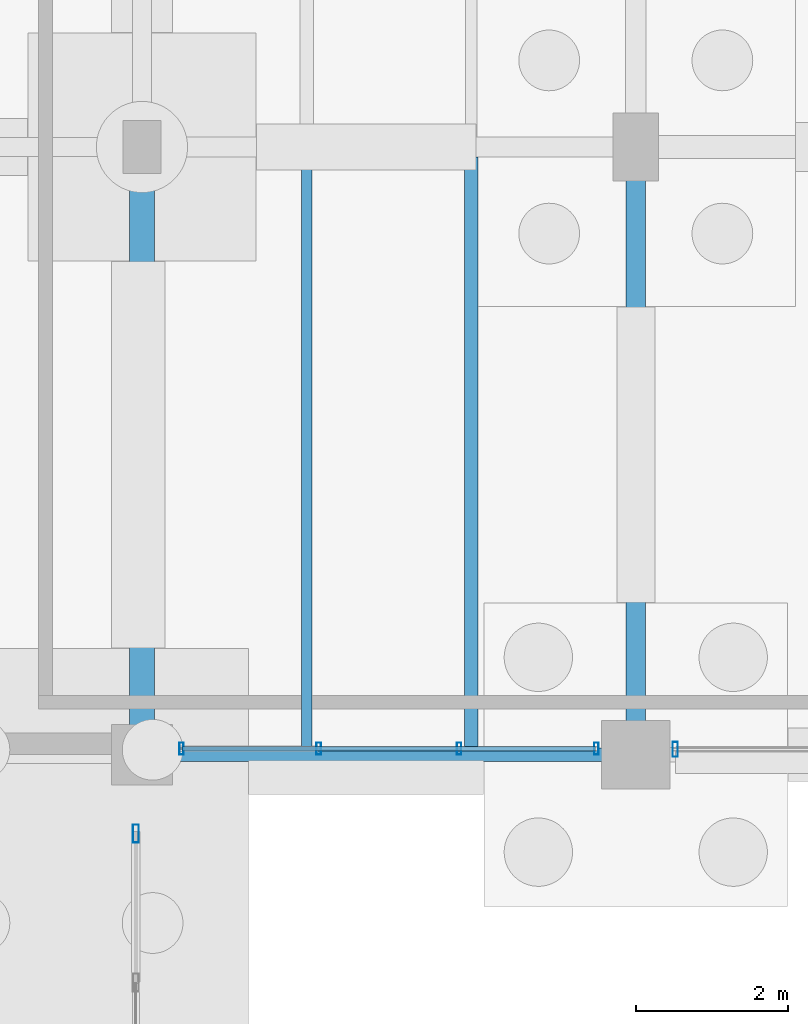
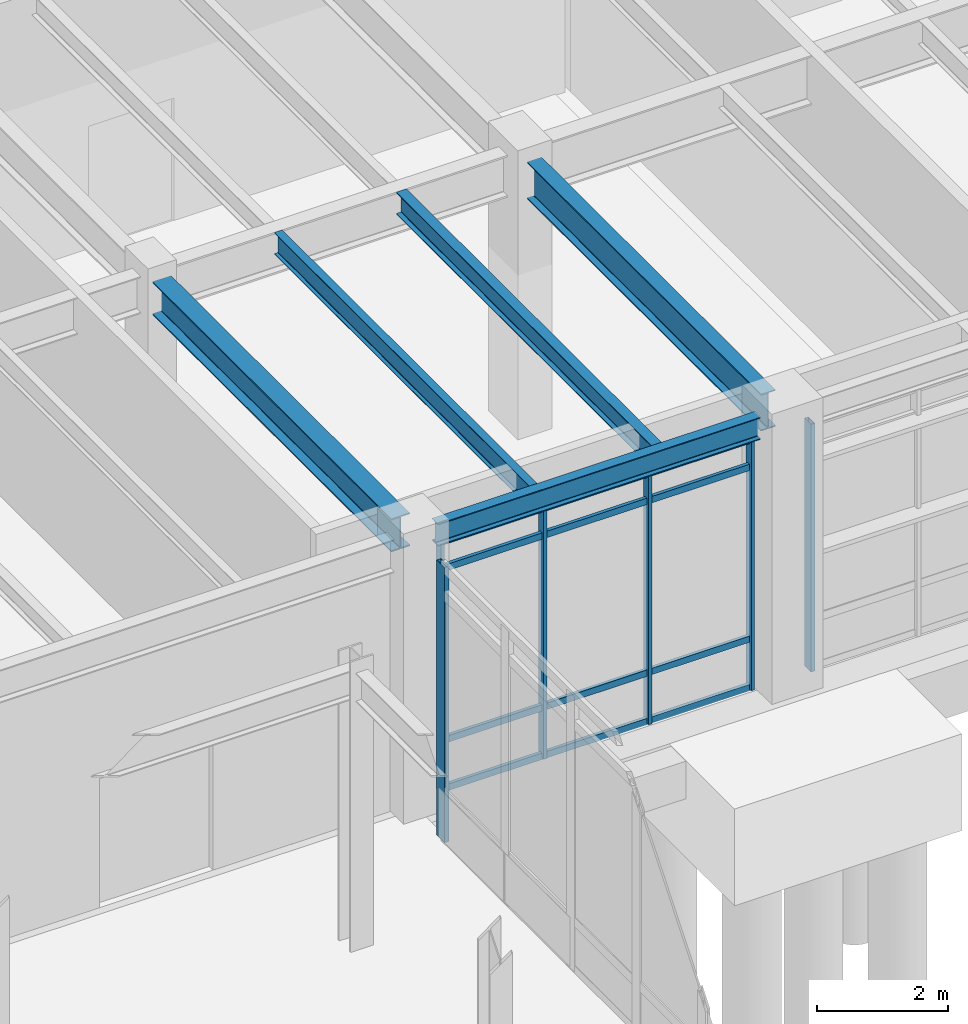
# One storey, part 127 of 203: 10 members, 5 beams, 3 elements without a shape of their own.
"""IFC4 building model written with IfcOpenShell, lengths in metres."""

from ifc_helpers import new_model, si_unit, direction, frame, origin, origin_2d, place, context, subcontext, project, spatial, hollow_rectangle, i_section, extrude, material, material_profile, profile_set, type_object, element, aggregate, save


model = new_model("IFC4")

# Units and contexts
model_context = context("Model", 3, precision=1e-05, world=origin(), true_north=direction((0.0, 1.0)))
body_context = subcontext(model_context, "Body", "Model", "MODEL_VIEW")
ifc_project = project(units=[si_unit("LENGTHUNIT", "METRE"), si_unit("AREAUNIT", "SQUARE_METRE"), si_unit("VOLUMEUNIT", "CUBIC_METRE"), si_unit("PLANEANGLEUNIT", "RADIAN"), si_unit("MASSUNIT", "GRAM", prefix="KILO"), si_unit("THERMODYNAMICTEMPERATUREUNIT", "KELVIN"), si_unit("POWERUNIT", "WATT")], contexts=[model_context])

# Site, building, storey
site_placement = place(None, origin())
site = spatial("IfcSite", under=ifc_project, at=site_placement, CompositionType="ELEMENT")
building_placement = place(site_placement, origin())
building = spatial("IfcBuilding", under=site, at=building_placement, Name="Tepalcoro Natatorium and Aquatics Centre", CompositionType="ELEMENT")
storey_placement = place(building_placement, origin())
storey = spatial("IfcBuildingStorey", under=building, at=storey_placement, Name="L00", CompositionType="ELEMENT", Elevation=0.0)

# Beams
ifc_material_1 = material(Name="Steel ASTM A992 Grade 50 (Fy 345 MPa)", Category="steel")
ifc_material_profile_1 = material_profile(ifc_material_1, i_section(OverallWidth=0.324951171875, OverallDepth=0.616943359375, WebThickness=0.013916015625, FlangeThickness=0.02197265625, FilletRadius=0.013916015625, at=origin_2d()), Name="W24X117")
ifc_profile_set_1 = profile_set([ifc_material_profile_1], Name="Steel ASTM A992 Grade 50 (Fy 345 MPa)")
beam_type_1 = type_object("IfcBeamType", Name="BM_W24x117", PredefinedType="BEAM", material=ifc_profile_set_1)
beam_1_placement = place(storey_placement, frame((125.0, 86.385009765625, 4.81640625), z_axis=(0.0, 1.0, 0.0), x_axis=(-1.0, 0.0, 0.0)))
element("IfcBeam", 1, at=beam_1_placement, inside=storey, type_object=beam_type_1, Name="V5 L00 Grid Girder Y", PredefinedType="BEAM", context=body_context, shape_type="SweptSolid", body=[
    extrude(i_section(OverallWidth=0.324951171875, OverallDepth=0.616943359375, WebThickness=0.013916015625, FlangeThickness=0.02197265625, FilletRadius=0.013916015625, at=origin_2d()), origin(), (0.0, 0.0, 1.0), 7.280029296875),
])
ifc_material_profile_2 = material_profile(ifc_material_1, i_section(OverallWidth=0.25390625, OverallDepth=0.68798828125, WebThickness=0.012939453125, FlangeThickness=0.02099609375, FilletRadius=0.013916015625, at=origin_2d()), Name="W27X102")
ifc_profile_set_2 = profile_set([ifc_material_profile_2], Name="Steel ASTM A992 Grade 50 (Fy 345 MPa)")
beam_type_2 = type_object("IfcBeamType", Name="BM_W27x102", PredefinedType="BEAM", material=ifc_profile_set_2)
beam_2_placement = place(storey_placement, frame((131.5, 86.43505859375, 4.781005859375), z_axis=(0.0, 1.0, 0.0), x_axis=(-1.0, 0.0, 0.0)))
element("IfcBeam", 2, at=beam_2_placement, inside=storey, type_object=beam_type_2, Name="V5 L00 Grid Girder Y", PredefinedType="BEAM", context=body_context, shape_type="SweptSolid", body=[
    extrude(i_section(OverallWidth=0.25390625, OverallDepth=0.68798828125, WebThickness=0.012939453125, FlangeThickness=0.02099609375, FilletRadius=0.013916015625, at=origin_2d()), origin(), (0.0, 0.0, 1.0), 7.1298828125),
])

# Curtain wall, members
ifc_material_2 = material(Name="Bronze-Anodised Extruded Aluminium Alloy EN AW-6063 T6", Category="aluminium")
curtain_wall_type_1 = type_object("IfcCurtainWallType", Name="CW_V5_LOWER", PredefinedType="USERDEFINED", material=ifc_material_2)
curtain_wall_1_placement = place(storey_placement, origin())
curtain_wall_1 = element("IfcCurtainWall", 3, at=curtain_wall_1_placement, inside=storey, type_object=curtain_wall_type_1, Name="V5 L00 S Unitised Curtain Wall Bay 4", ObjectType="UNITISED STOREFRONT", PredefinedType="USERDEFINED")
ifc_material_profile_3 = material_profile(ifc_material_2, hollow_rectangle(XDim=0.06005859375, YDim=0.159912109375, WallThickness=0.00390625, at=origin_2d()), Name="AL60X160X4")
ifc_profile_set_3 = profile_set([ifc_material_profile_3], Name="Bronze-Anodised Extruded Aluminium Alloy EN AW-6063 T6")
member_type_1 = type_object("IfcMemberType", Name="CW_MUL_60x160", PredefinedType="MULLION", material=ifc_profile_set_3)
member_1_placement = place(storey_placement, frame((125.52001953125, 86.080078125, 0.02001953125), z_axis=(0.0, 0.0, 1.0), x_axis=(1.0, 0.0, 0.0)))
member_1 = element("IfcMember", 4, at=member_1_placement, type_object=member_type_1, Name="CW_V5_LOWER Curtain Wall Mullion", PredefinedType="MULLION", context=body_context, shape_type="SweptSolid", body=[
    extrude(hollow_rectangle(XDim=0.06005859375, YDim=0.159912109375, WallThickness=0.00390625, at=origin_2d()), origin(), (0.0, 0.0, 1.0), 4.656982421875),
])
member_2_placement = place(storey_placement, frame((127.32666015625, 86.080078125, 0.02001953125), z_axis=(0.0, 0.0, 1.0), x_axis=(1.0, 0.0, 0.0)))
member_2 = element("IfcMember", 5, at=member_2_placement, type_object=member_type_1, Name="CW_V5_LOWER Curtain Wall Mullion", PredefinedType="MULLION", context=body_context, shape_type="SweptSolid", body=[
    extrude(hollow_rectangle(XDim=0.06005859375, YDim=0.159912109375, WallThickness=0.00390625, at=origin_2d()), origin(), (0.0, 0.0, 1.0), 4.656982421875),
])
member_3_placement = place(storey_placement, frame((129.17333984375, 86.080078125, 0.02001953125), z_axis=(0.0, 0.0, 1.0), x_axis=(1.0, 0.0, 0.0)))
member_3 = element("IfcMember", 6, at=member_3_placement, type_object=member_type_1, Name="CW_V5_LOWER Curtain Wall Mullion", PredefinedType="MULLION", context=body_context, shape_type="SweptSolid", body=[
    extrude(hollow_rectangle(XDim=0.06005859375, YDim=0.159912109375, WallThickness=0.00390625, at=origin_2d()), origin(), (0.0, 0.0, 1.0), 4.656982421875),
])
member_4_placement = place(storey_placement, frame((130.97998046875, 86.080078125, 0.02001953125), z_axis=(0.0, 0.0, 1.0), x_axis=(1.0, 0.0, 0.0)))
member_4 = element("IfcMember", 7, at=member_4_placement, type_object=member_type_1, Name="CW_V5_LOWER Curtain Wall Mullion", PredefinedType="MULLION", context=body_context, shape_type="SweptSolid", body=[
    extrude(hollow_rectangle(XDim=0.06005859375, YDim=0.159912109375, WallThickness=0.00390625, at=origin_2d()), origin(), (0.0, 0.0, 1.0), 4.656982421875),
])

# Curtain wall, member
curtain_wall_type_2 = type_object("IfcCurtainWallType", Name="CW_V5_UPPER", PredefinedType="USERDEFINED", material=ifc_material_2)
curtain_wall_2_placement = place(storey_placement, origin())
curtain_wall_2 = element("IfcCurtainWall", 8, at=curtain_wall_2_placement, inside=storey, type_object=curtain_wall_type_2, Name="V5 L00 S Unitised Curtain Wall Bay 5", ObjectType="FACETED SOLAR GLAZING", PredefinedType="USERDEFINED")
ifc_material_profile_4 = material_profile(ifc_material_2, hollow_rectangle(XDim=0.070068359375, YDim=0.199951171875, WallThickness=0.0048828125, at=origin_2d()), Name="AL70X200X5")
ifc_profile_set_4 = profile_set([ifc_material_profile_4], Name="Bronze-Anodised Extruded Aluminium Alloy EN AW-6063 T6")
member_type_2 = type_object("IfcMemberType", Name="CW_MUL_70x200", PredefinedType="MULLION", material=ifc_profile_set_4)
member_5_placement = place(storey_placement, frame((132.02001953125, 86.0712890625, 0.02001953125), z_axis=(0.0, 0.0, 1.0), x_axis=(1.0, 0.0, 0.0)))
member_5 = element("IfcMember", 9, at=member_5_placement, type_object=member_type_2, Name="CW_V5_UPPER Curtain Wall Mullion", PredefinedType="MULLION", context=body_context, shape_type="SweptSolid", body=[
    extrude(hollow_rectangle(XDim=0.070068359375, YDim=0.199951171875, WallThickness=0.0048828125, at=origin_2d()), origin(), (0.0, 0.0, 1.0), 4.60986328125),
])
aggregate(curtain_wall_2, [member_5])

curtain_wall_type_3 = type_object("IfcCurtainWallType", Name="CW_LINK_150", PredefinedType="USERDEFINED", material=ifc_material_2)
curtain_wall_3_placement = place(storey_placement, origin())
curtain_wall_3 = element("IfcCurtainWall", 10, at=curtain_wall_3_placement, inside=storey, type_object=curtain_wall_type_3, Name="East Court Wellness Arcade Glazed Wall E L00", ObjectType="UNITISED STOREFRONT", PredefinedType="USERDEFINED")
ifc_material_profile_5 = material_profile(ifc_material_2, hollow_rectangle(XDim=0.080078125, YDim=0.239990234375, WallThickness=0.0048828125, at=origin_2d()), Name="AL80X240X5")
ifc_profile_set_5 = profile_set([ifc_material_profile_5], Name="Bronze-Anodised Extruded Aluminium Alloy EN AW-6063 T6")
member_type_3 = type_object("IfcMemberType", Name="CW_MUL_80x240", PredefinedType="MULLION", material=ifc_profile_set_5)
member_6_placement = place(storey_placement, frame((124.919921875, 84.9599609375, 0.02001953125), z_axis=(0.0, 0.0, 1.0), x_axis=(1.0, 0.0, 0.0)))
member_6 = element("IfcMember", 11, at=member_6_placement, type_object=member_type_3, Name="CW_LINK_150 Curtain Wall Mullion", PredefinedType="MULLION", context=body_context, shape_type="SweptSolid", body=[
    extrude(hollow_rectangle(XDim=0.080078125, YDim=0.239990234375, WallThickness=0.0048828125, at=origin_2d()), origin(), (0.0, 0.0, 1.0), 5.119873046875),
])
aggregate(curtain_wall_3, [member_6])

# Member
ifc_material_profile_6 = material_profile(ifc_material_2, hollow_rectangle(XDim=0.06005859375, YDim=0.1201171875, WallThickness=0.00390625, at=origin_2d()), Name="AL60X120X4")
ifc_profile_set_6 = profile_set([ifc_material_profile_6], Name="Bronze-Anodised Extruded Aluminium Alloy EN AW-6063 T6")
member_type_4 = type_object("IfcMemberType", Name="CW_TRN_60x120", PredefinedType="USERDEFINED", material=ifc_profile_set_6)
member_7_placement = place(storey_placement, frame((125.530029296875, 86.080078125, 0.050048828125), z_axis=(1.0, 0.0, 0.0), x_axis=(0.0, 1.0, 0.0)))
member_7 = element("IfcMember", 12, at=member_7_placement, type_object=member_type_4, Name="CW_V5_LOWER Curtain Wall Transom", ObjectType="TRANSOM", PredefinedType="USERDEFINED", context=body_context, shape_type="SweptSolid", body=[
    extrude(hollow_rectangle(XDim=0.06005859375, YDim=0.1201171875, WallThickness=0.00390625, at=origin_2d()), origin(), (0.0, 0.0, 1.0), 5.43994140625),
])

member_8_placement = place(storey_placement, frame((125.530029296875, 86.080078125, 0.949951171875), z_axis=(1.0, 0.0, 0.0), x_axis=(0.0, 1.0, 0.0)))
member_8 = element("IfcMember", 13, at=member_8_placement, type_object=member_type_4, Name="CW_V5_LOWER Curtain Wall Transom", ObjectType="TRANSOM", PredefinedType="USERDEFINED", context=body_context, shape_type="SweptSolid", body=[
    extrude(hollow_rectangle(XDim=0.06005859375, YDim=0.1201171875, WallThickness=0.00390625, at=origin_2d()), origin(), (0.0, 0.0, 1.0), 5.43994140625),
])

member_9_placement = place(storey_placement, frame((125.530029296875, 86.080078125, 4.14697265625), z_axis=(1.0, 0.0, 0.0), x_axis=(0.0, 1.0, 0.0)))
member_9 = element("IfcMember", 14, at=member_9_placement, type_object=member_type_4, Name="CW_V5_LOWER Curtain Wall Transom", ObjectType="TRANSOM", PredefinedType="USERDEFINED", context=body_context, shape_type="SweptSolid", body=[
    extrude(hollow_rectangle(XDim=0.06005859375, YDim=0.1201171875, WallThickness=0.00390625, at=origin_2d()), origin(), (0.0, 0.0, 1.0), 5.43994140625),
])

member_10_placement = place(storey_placement, frame((125.530029296875, 86.080078125, 4.64697265625), z_axis=(1.0, 0.0, 0.0), x_axis=(0.0, 1.0, 0.0)))
member_10 = element("IfcMember", 15, at=member_10_placement, type_object=member_type_4, Name="CW_V5_LOWER Curtain Wall Transom", ObjectType="TRANSOM", PredefinedType="USERDEFINED", context=body_context, shape_type="SweptSolid", body=[
    extrude(hollow_rectangle(XDim=0.06005859375, YDim=0.1201171875, WallThickness=0.00390625, at=origin_2d()), origin(), (0.0, 0.0, 1.0), 5.43994140625),
])

aggregate(curtain_wall_1, [member_1, member_2, member_3, member_4, member_7, member_8, member_9, member_10])

# Beams
ifc_material_profile_7 = material_profile(ifc_material_1, i_section(OverallWidth=0.139892578125, OverallDepth=0.404052734375, WebThickness=0.007080078125, FlangeThickness=0.010986328125, FilletRadius=0.013916015625, at=origin_2d()), Name="W16X31")
ifc_profile_set_7 = profile_set([ifc_material_profile_7], Name="Steel ASTM A992 Grade 50 (Fy 345 MPa)")
beam_type_3 = type_object("IfcBeamType", Name="JS_W16x31", PredefinedType="JOIST", material=ifc_profile_set_7)
beam_3_placement = place(storey_placement, frame((127.166748046875, 86.090087890625, 4.923095703125), z_axis=(0.0, 1.0, 0.0), x_axis=(-1.0, 0.0, 0.0)))
element("IfcBeam", 16, at=beam_3_placement, inside=storey, type_object=beam_type_3, Name="V5 L00 Floor Joist", PredefinedType="JOIST", context=body_context, shape_type="SweptSolid", body=[
    extrude(i_section(OverallWidth=0.139892578125, OverallDepth=0.404052734375, WebThickness=0.007080078125, FlangeThickness=0.010986328125, FilletRadius=0.013916015625, at=origin_2d()), origin(), (0.0, 0.0, 1.0), 7.7763671875),
])
ifc_material_profile_8 = material_profile(ifc_material_1, i_section(OverallWidth=0.178955078125, OverallDepth=0.409912109375, WebThickness=0.009033203125, FlangeThickness=0.013916015625, FilletRadius=0.013916015625, at=origin_2d()), Name="W16X45")
ifc_profile_set_8 = profile_set([ifc_material_profile_8], Name="Steel ASTM A992 Grade 50 (Fy 345 MPa)")
beam_type_4 = type_object("IfcBeamType", Name="JS_W16x45", PredefinedType="JOIST", material=ifc_profile_set_8)
beam_4_placement = place(storey_placement, frame((129.333251953125, 86.090087890625, 4.919921875), z_axis=(0.0, 1.0, 0.0), x_axis=(-1.0, 0.0, 0.0)))
element("IfcBeam", 17, at=beam_4_placement, inside=storey, type_object=beam_type_4, Name="V5 L00 Floor Joist", PredefinedType="JOIST", context=body_context, shape_type="SweptSolid", body=[
    extrude(i_section(OverallWidth=0.178955078125, OverallDepth=0.409912109375, WebThickness=0.009033203125, FlangeThickness=0.013916015625, FilletRadius=0.013916015625, at=origin_2d()), origin(), (0.0, 0.0, 1.0), 7.7763671875),
])
ifc_material_profile_9 = material_profile(ifc_material_1, i_section(OverallWidth=0.179931640625, OverallDepth=0.4130859375, WebThickness=0.010009765625, FlangeThickness=0.01611328125, FilletRadius=0.013916015625, at=origin_2d()), Name="W16X50")
ifc_profile_set_9 = profile_set([ifc_material_profile_9], Name="Steel ASTM A992 Grade 50 (Fy 345 MPa)")
beam_type_5 = type_object("IfcBeamType", Name="SP_HSS300x200x12", PredefinedType="SPANDREL", material=ifc_profile_set_9)
beam_5_placement = place(storey_placement, frame((125.385009765625, 86.0, 4.91845703125), z_axis=(1.0, 0.0, 0.0), x_axis=(0.0, 1.0, 0.0)))
element("IfcBeam", 18, at=beam_5_placement, inside=storey, type_object=beam_type_5, Name="V5 L00 Grid Girder X", PredefinedType="SPANDREL", context=body_context, shape_type="SweptSolid", body=[
    extrude(i_section(OverallWidth=0.179931640625, OverallDepth=0.4130859375, WebThickness=0.010009765625, FlangeThickness=0.01611328125, FilletRadius=0.013916015625, at=origin_2d()), origin(), (0.0, 0.0, 1.0), 5.679931640625),
])

save(model, "model.ifc")
